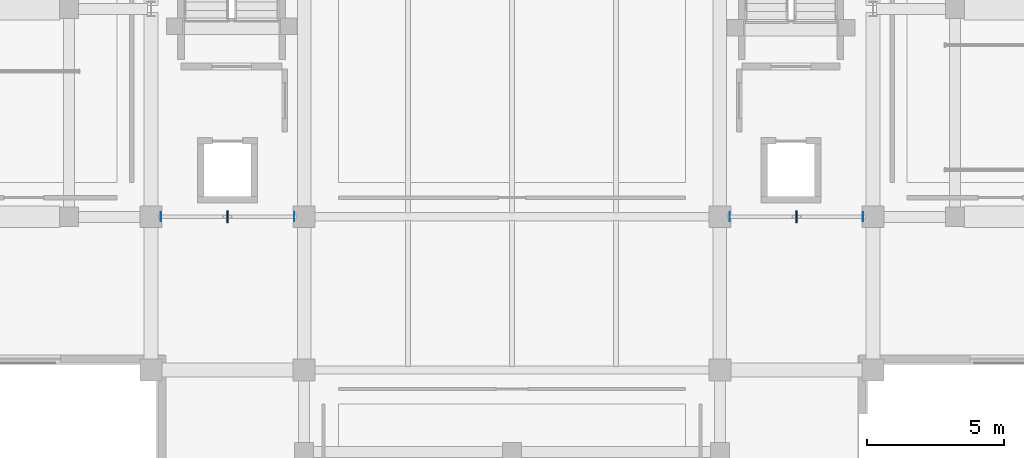
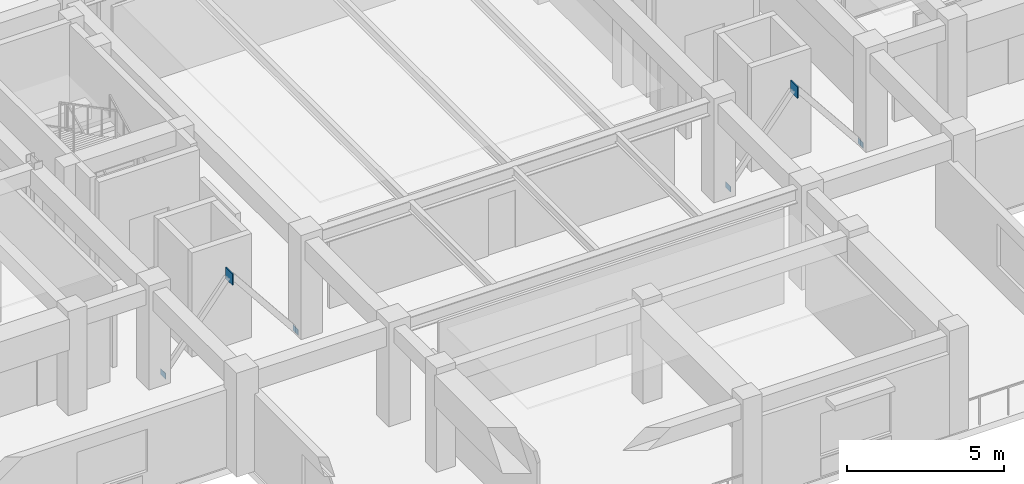
# One storey, part 44 of 70: 6 plates.
"""IFC4 building model written with IfcOpenShell, lengths in metres."""

import ifcopenshell
import ifcopenshell.guid

model = None  # the IFC model being written
_history = None  # IfcOwnerHistory: only IFC2X3 demands one
_inside = {}  # id of a spatial element -> (the spatial element, [elements in it])
_under = {}  # id of a project, library or spatial element -> (it, [spatial elements below it])
_declared = {}  # id of a project -> (the project, [libraries it declares])
_typed = {}  # id of a type object -> (the type object, [elements of that type])
_made_of = {}  # id of a material, layer set ... -> (it, [elements and type objects made of it])


def new_model(schema):
    """Start an empty IFC model of exactly this schema.

    Asked for "IFC4X3", IfcOpenShell would pick the latest addendum, in which some entities
    have other attributes; the version numbers below select the first issue.
    IFC2X3 requires an IfcOwnerHistory on every rooted entity: one is made here for all.
    """
    global model, _history
    if schema == "IFC4X3":
        model = ifcopenshell.file(schema_version=(4, 3, 0, 0))
    else:
        model = ifcopenshell.file(schema=schema)
    _inside.clear()
    _under.clear()
    _declared.clear()
    _typed.clear()
    _made_of.clear()
    _history = None
    if model.schema == "IFC2X3":
        org = make("IfcOrganization", Name="unknown")
        user = make(
            "IfcPersonAndOrganization",
            ThePerson=make("IfcPerson", FamilyName="unknown"),
            TheOrganization=org,
        )
        app = make(
            "IfcApplication",
            ApplicationDeveloper=org,
            Version="unknown",
            ApplicationFullName="unknown",
            ApplicationIdentifier="unknown",
        )
        _history = make(
            "IfcOwnerHistory",
            OwningUser=user,
            OwningApplication=app,
            ChangeAction="ADDED",
            CreationDate=0,
        )
    return model


def make(cls, **values):
    """One entity of the class cls with the attributes given. An attribute that is None is left unset."""
    return model.create_entity(
        cls, **{name: value for name, value in values.items() if value is not None}
    )


def rooted(cls, **values):
    """An entity with a GlobalId (a new one), such as an element, a storey or a relation."""
    return make(cls, GlobalId=ifcopenshell.guid.new(), OwnerHistory=_history, **values)


def si_unit(unit_type, name, prefix=None):
    """IfcSIUnit, for example si_unit("LENGTHUNIT", "METRE", prefix="MILLI")."""
    return make("IfcSIUnit", UnitType=unit_type, Prefix=prefix, Name=name)


def assignment(units):
    """IfcUnitAssignment: the units of a project."""
    return None if units is None else make("IfcUnitAssignment", Units=units)


def point(xyz):
    """IfcCartesianPoint."""
    return None if xyz is None else make("IfcCartesianPoint", Coordinates=xyz)


def direction(xyz):
    """IfcDirection."""
    return None if xyz is None else make("IfcDirection", DirectionRatios=xyz)


def frame(location, z_axis=None, x_axis=None):
    """IfcAxis2Placement3D, a coordinate frame: its origin and axes. An axis left out is left unset."""
    return make(
        "IfcAxis2Placement3D",
        Location=point(location),
        Axis=direction(z_axis),
        RefDirection=direction(x_axis),
    )


def frame_2d(location, x_axis=None):
    """IfcAxis2Placement2D, a coordinate frame in the plane: its origin and x axis."""
    return make(
        "IfcAxis2Placement2D", Location=point(location), RefDirection=direction(x_axis)
    )


def origin():
    """The frame at (0, 0, 0) with its axes left unset."""
    return frame((0.0, 0.0, 0.0))


def origin_2d():
    """The frame at (0, 0) in the plane with its x axis left unset."""
    return frame_2d((0.0, 0.0))


def place(relative_to, where):
    """IfcLocalPlacement: puts the frame where relative to a parent placement (None: the world)."""
    return make(
        "IfcLocalPlacement", PlacementRelTo=relative_to, RelativePlacement=where
    )


def context(
    kind, dimensions, precision=None, world=None, true_north=None, identifier=None
):
    """IfcGeometricRepresentationContext, for example the 3D "Model" context."""
    return make(
        "IfcGeometricRepresentationContext",
        ContextIdentifier=identifier,
        ContextType=kind,
        CoordinateSpaceDimension=dimensions,
        Precision=precision,
        WorldCoordinateSystem=world,
        TrueNorth=true_north,
    )


def subcontext(parent, identifier, kind, view, scale=None):
    """IfcGeometricRepresentationSubContext, for example "Body" below "Model"."""
    return make(
        "IfcGeometricRepresentationSubContext",
        ContextIdentifier=identifier,
        ContextType=kind,
        ParentContext=parent,
        TargetScale=scale,
        TargetView=view,
    )


def project(units=None, contexts=None):
    """IfcProject with its units and contexts."""
    return rooted(
        "IfcProject",
        Name="project",
        RepresentationContexts=contexts,
        UnitsInContext=assignment(units),
    )


def spatial(cls, under=None, at=None, **own):
    """A site, building, storey or space (cls), placed at a placement, below another one or the project."""
    s = rooted(cls, ObjectPlacement=at, **own)
    if under is not None:
        _under.setdefault(under.id(), (under, []))[1].append(s)
    return s


def profile(cls, at=None, kind="AREA", **sizes):
    """A parametric profile (cls). Its sizes go by their IFC names, for example OverallWidth=200.0."""
    return make(cls, ProfileType=kind, Position=at, **sizes)


def rectangle(**sizes):
    """IfcRectangleProfileDef."""
    return profile("IfcRectangleProfileDef", **sizes)


def extrude(swept, where, along, depth):
    """IfcExtrudedAreaSolid: the profile swept, set in the frame where, extruded along a direction by depth."""
    return make(
        "IfcExtrudedAreaSolid",
        SweptArea=swept,
        Position=where,
        ExtrudedDirection=direction(along),
        Depth=depth,
    )


def shape(context_of_items, identifier, shape_type, items):
    """IfcShapeRepresentation: the items that make up one representation, for example the "Body"."""
    return make(
        "IfcShapeRepresentation",
        ContextOfItems=context_of_items,
        RepresentationIdentifier=identifier,
        RepresentationType=shape_type,
        Items=items,
    )


def material(Name=None, Category=None):
    """IfcMaterial."""
    return make("IfcMaterial", Name=Name, Category=Category)


def layer(
    of_material, thickness, ventilated=None, Name=None, Category=None, Priority=None
):
    """IfcMaterialLayer: one layer of a wall or slab, of a material (None: an air gap)."""
    return make(
        "IfcMaterialLayer",
        Material=of_material,
        LayerThickness=thickness,
        IsVentilated=ventilated,
        Name=Name,
        Category=Category,
        Priority=Priority,
    )


def layer_set(layers, Name=None):
    """IfcMaterialLayerSet."""
    return make("IfcMaterialLayerSet", MaterialLayers=layers, LayerSetName=Name)


def made_of(thing, what):
    """Note that an element or type object is made of a material, layer set ...; save() writes the relation."""
    if what is not None:
        _made_of.setdefault(what.id(), (what, []))[1].append(thing)
    return thing


def type_object(cls, material=None, **own):
    """A type object (cls), such as IfcWallType, which elements share."""
    return made_of(rooted(cls, **own), material)


def element(
    cls,
    number,
    at=None,
    inside=None,
    cuts=None,
    type_object=None,
    material=None,
    context=None,
    identifier="Body",
    shape_type=None,
    held_by="IfcProductDefinitionShape",
    body=None,
    shapes=None,
    **own,
):
    """One element of the class cls, such as IfcWall. Its Tag is "e" and its number.

    at: its placement. inside: the storey or other place that contains it. cuts: it is an
    opening in that element (IfcRelVoidsElement). A single representation is given by context,
    identifier, shape_type and body (its items); several are given by shapes. held_by: the class
    of the entity that holds the representations. save() writes the other relations.
    """
    e = rooted(cls, Tag="e%d" % number, ObjectPlacement=at, **own)
    if body is not None:
        shapes = [shape(context, identifier, shape_type, body)]
    if shapes is not None:
        e.Representation = make(held_by, Representations=shapes)
    if inside is not None:
        _inside.setdefault(inside.id(), (inside, []))[1].append(e)
    if cuts is not None:
        rooted(
            "IfcRelVoidsElement", RelatingBuildingElement=cuts, RelatedOpeningElement=e
        )
    if type_object is not None:
        _typed.setdefault(type_object.id(), (type_object, []))[1].append(e)
    return made_of(e, material)


def aggregate(whole, parts):
    """IfcRelAggregates: a whole, such as a stair, and the parts it consists of."""
    return rooted("IfcRelAggregates", RelatingObject=whole, RelatedObjects=parts)


def save(model, path):
    """Write the relations noted so far, then the file.

    IfcRelAggregates (storeys below a building ...), IfcRelContainedInSpatialStructure (elements
    in a storey), IfcRelDefinesByType, IfcRelAssociatesMaterial and IfcRelDeclares: one each for
    every whole, place, type object, material and project.
    """
    for whole, parts in _under.values():
        aggregate(whole, parts)
    for where, things in _inside.values():
        rooted(
            "IfcRelContainedInSpatialStructure",
            RelatedElements=things,
            RelatingStructure=where,
        )
    for kind, things in _typed.values():
        rooted("IfcRelDefinesByType", RelatedObjects=things, RelatingType=kind)
    for what, things in _made_of.values():
        rooted("IfcRelAssociatesMaterial", RelatedObjects=things, RelatingMaterial=what)
    for by, libraries in _declared.values():
        rooted("IfcRelDeclares", RelatingContext=by, RelatedDefinitions=libraries)
    model.write(path)


model = new_model("IFC4")

# Units and contexts
model_context = context("Model", 3, precision=1e-05, world=origin(), true_north=direction((0.0, 1.0)))
body_context = subcontext(model_context, "Body", "Model", "MODEL_VIEW")
ifc_project = project(units=[si_unit("LENGTHUNIT", "METRE"), si_unit("AREAUNIT", "SQUARE_METRE"), si_unit("VOLUMEUNIT", "CUBIC_METRE"), si_unit("PLANEANGLEUNIT", "RADIAN"), si_unit("MASSUNIT", "GRAM", prefix="KILO")], contexts=[model_context])

# Site, building, storey
site_placement = place(None, origin())
site = spatial("IfcSite", under=ifc_project, at=site_placement, CompositionType="ELEMENT")
building_placement = place(site_placement, origin())
building = spatial("IfcBuilding", under=site, at=building_placement, Name="Saryqyr Civic Hall", CompositionType="ELEMENT")
storey_placement = place(building_placement, frame((0.0, 0.0, 13.199951171875)))
storey = spatial("IfcBuildingStorey", under=building, at=storey_placement, Name="L03", CompositionType="ELEMENT", Elevation=13.199951171875)

# Plates
ifc_material = material(Name="Steel S355", Category="steel")
ifc_layer_1 = layer(ifc_material, 0.01611328125, Name="Steel S355")
ifc_layer_set_1 = layer_set([ifc_layer_1], Name="Steel S355")
plate_type_1 = type_object("IfcPlateType", Name="STR-PLT-CAP16", PredefinedType="USERDEFINED", material=ifc_layer_set_1)
for number, where, z_axis, x_axis, name in (
    (1, (44.159912109375, 76.39990234375, 0.01025390625), (0.0, 0.0, 1.0), (1.0, 0.0, 0.0), "Hollow section end cap V1-BRCAP-1A0-L03"),
    (2, (49.0400390625, 76.39990234375, 0.01025390625), (0.0, 0.0, 1.0), (1.0, 0.0, 0.0), "Hollow section end cap V1-BRCAP-1B0-L03"),
    (3, (64.9599609375, 76.39990234375, 0.01025390625), (0.0, 0.0, 1.0), (1.0, 0.0, 0.0), "Hollow section end cap V1-BRCAP-2A0-L03"),
    (4, (69.840087890625, 76.39990234375, 0.01025390625), (0.0, 0.0, 1.0), (1.0, 0.0, 0.0), "Hollow section end cap V1-BRCAP-2B0-L03"),
):
    element("IfcPlate", number, at=place(storey_placement, frame(where, z_axis=z_axis, x_axis=x_axis)), inside=storey, type_object=plate_type_1, Name=name, ObjectType="FLANGE_PLATE", PredefinedType="USERDEFINED", context=body_context, shape_type="SweptSolid", body=[
        extrude(rectangle(XDim=0.01611328125, YDim=0.320068359375, at=origin_2d()), origin(), (0.0, 0.0, 1.0), 0.219970703125),
    ])
ifc_layer_2 = layer(ifc_material, 0.0400390625, Name="Steel S355")
ifc_layer_set_2 = layer_set([ifc_layer_2], Name="Steel S355")
plate_type_2 = type_object("IfcPlateType", Name="STR-PLT-GUS40", PredefinedType="USERDEFINED", material=ifc_layer_set_2)
for number, where, z_axis, x_axis, name in (
    (5, (46.60009765625, 76.39990234375, 2.85009765625), (0.0, 0.0, 1.0), (1.0, 0.0, 0.0), "Hollow section end cap V1-BRGUS-1-L03"),
    (6, (67.39990234375, 76.39990234375, 2.85009765625), (0.0, 0.0, 1.0), (1.0, 0.0, 0.0), "Hollow section end cap V1-BRGUS-2-L03"),
):
    element("IfcPlate", number, at=place(storey_placement, frame(where, z_axis=z_axis, x_axis=x_axis)), inside=storey, type_object=plate_type_2, Name=name, ObjectType="FLANGE_PLATE", PredefinedType="USERDEFINED", context=body_context, shape_type="SweptSolid", body=[
        extrude(rectangle(XDim=0.0400390625, YDim=0.43994140625, at=origin_2d()), origin(), (0.0, 0.0, 1.0), 0.43994140625),
    ])

save(model, "model.ifc")
